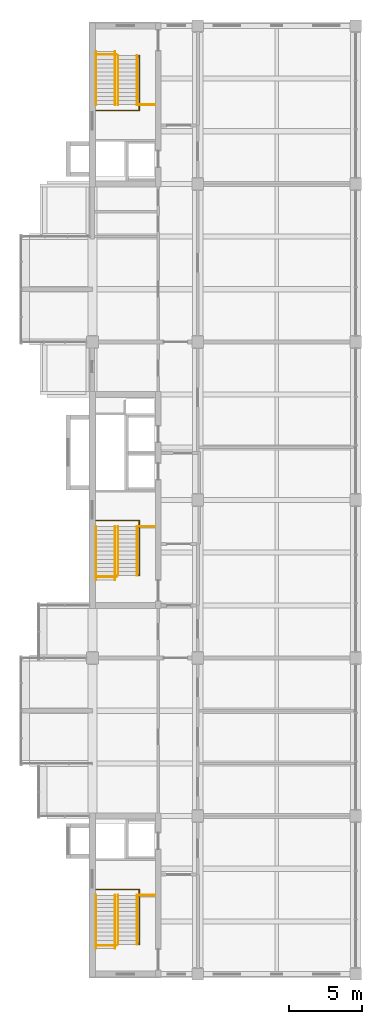
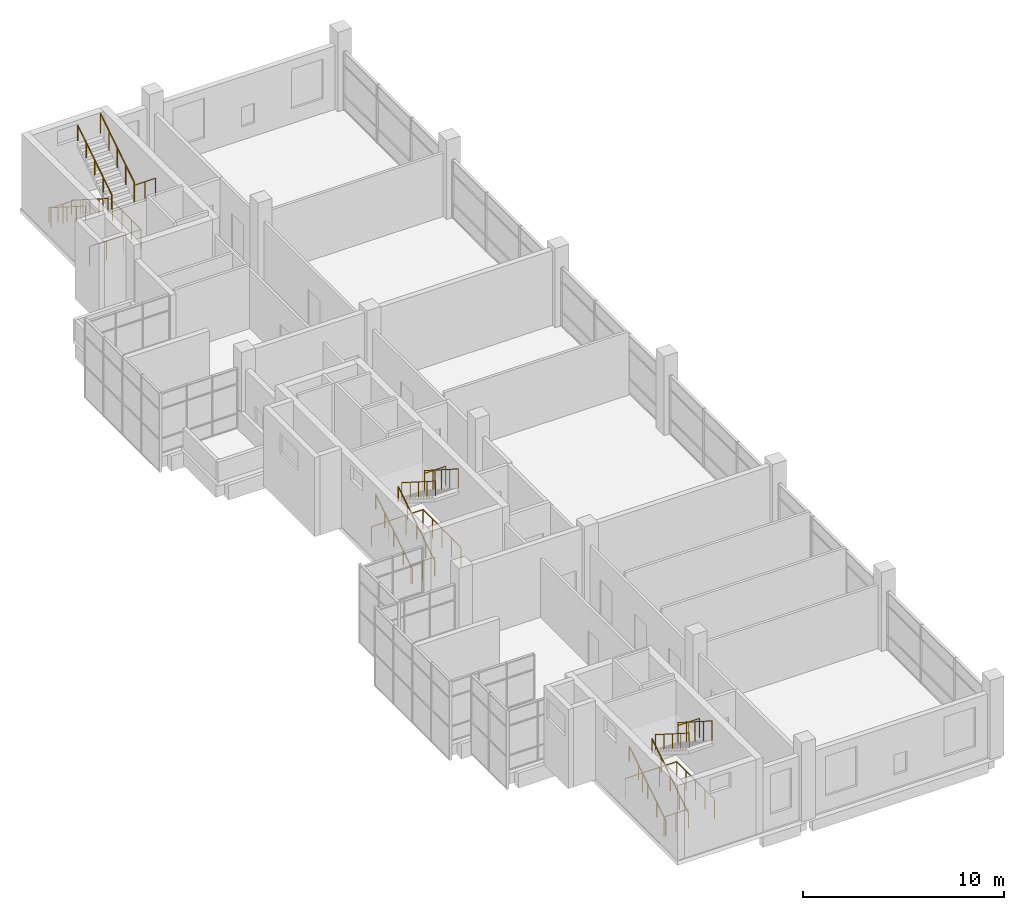
# One storey, part 14 of 14: 21 railings.
"""IFC4 building model written with IfcOpenShell, lengths in metres."""

import ifcopenshell
import ifcopenshell.guid

model = None  # the IFC model being written
_history = None  # IfcOwnerHistory: only IFC2X3 demands one
_inside = {}  # id of a spatial element -> (the spatial element, [elements in it])
_under = {}  # id of a project, library or spatial element -> (it, [spatial elements below it])
_declared = {}  # id of a project -> (the project, [libraries it declares])
_typed = {}  # id of a type object -> (the type object, [elements of that type])
_made_of = {}  # id of a material, layer set ... -> (it, [elements and type objects made of it])


def new_model(schema):
    """Start an empty IFC model of exactly this schema.

    Asked for "IFC4X3", IfcOpenShell would pick the latest addendum, in which some entities
    have other attributes; the version numbers below select the first issue.
    IFC2X3 requires an IfcOwnerHistory on every rooted entity: one is made here for all.
    """
    global model, _history
    if schema == "IFC4X3":
        model = ifcopenshell.file(schema_version=(4, 3, 0, 0))
    else:
        model = ifcopenshell.file(schema=schema)
    _inside.clear()
    _under.clear()
    _declared.clear()
    _typed.clear()
    _made_of.clear()
    _history = None
    if model.schema == "IFC2X3":
        org = make("IfcOrganization", Name="unknown")
        user = make(
            "IfcPersonAndOrganization",
            ThePerson=make("IfcPerson", FamilyName="unknown"),
            TheOrganization=org,
        )
        app = make(
            "IfcApplication",
            ApplicationDeveloper=org,
            Version="unknown",
            ApplicationFullName="unknown",
            ApplicationIdentifier="unknown",
        )
        _history = make(
            "IfcOwnerHistory",
            OwningUser=user,
            OwningApplication=app,
            ChangeAction="ADDED",
            CreationDate=0,
        )
    return model


def make(cls, **values):
    """One entity of the class cls with the attributes given. An attribute that is None is left unset."""
    return model.create_entity(
        cls, **{name: value for name, value in values.items() if value is not None}
    )


def rooted(cls, **values):
    """An entity with a GlobalId (a new one), such as an element, a storey or a relation."""
    return make(cls, GlobalId=ifcopenshell.guid.new(), OwnerHistory=_history, **values)


def si_unit(unit_type, name, prefix=None):
    """IfcSIUnit, for example si_unit("LENGTHUNIT", "METRE", prefix="MILLI")."""
    return make("IfcSIUnit", UnitType=unit_type, Prefix=prefix, Name=name)


def assignment(units):
    """IfcUnitAssignment: the units of a project."""
    return None if units is None else make("IfcUnitAssignment", Units=units)


def point(xyz):
    """IfcCartesianPoint."""
    return None if xyz is None else make("IfcCartesianPoint", Coordinates=xyz)


def direction(xyz):
    """IfcDirection."""
    return None if xyz is None else make("IfcDirection", DirectionRatios=xyz)


def frame(location, z_axis=None, x_axis=None):
    """IfcAxis2Placement3D, a coordinate frame: its origin and axes. An axis left out is left unset."""
    return make(
        "IfcAxis2Placement3D",
        Location=point(location),
        Axis=direction(z_axis),
        RefDirection=direction(x_axis),
    )


def frame_2d(location, x_axis=None):
    """IfcAxis2Placement2D, a coordinate frame in the plane: its origin and x axis."""
    return make(
        "IfcAxis2Placement2D", Location=point(location), RefDirection=direction(x_axis)
    )


def origin():
    """The frame at (0, 0, 0) with its axes left unset."""
    return frame((0.0, 0.0, 0.0))


def origin_2d():
    """The frame at (0, 0) in the plane with its x axis left unset."""
    return frame_2d((0.0, 0.0))


def place(relative_to, where):
    """IfcLocalPlacement: puts the frame where relative to a parent placement (None: the world)."""
    return make(
        "IfcLocalPlacement", PlacementRelTo=relative_to, RelativePlacement=where
    )


def context(
    kind, dimensions, precision=None, world=None, true_north=None, identifier=None
):
    """IfcGeometricRepresentationContext, for example the 3D "Model" context."""
    return make(
        "IfcGeometricRepresentationContext",
        ContextIdentifier=identifier,
        ContextType=kind,
        CoordinateSpaceDimension=dimensions,
        Precision=precision,
        WorldCoordinateSystem=world,
        TrueNorth=true_north,
    )


def subcontext(parent, identifier, kind, view, scale=None):
    """IfcGeometricRepresentationSubContext, for example "Body" below "Model"."""
    return make(
        "IfcGeometricRepresentationSubContext",
        ContextIdentifier=identifier,
        ContextType=kind,
        ParentContext=parent,
        TargetScale=scale,
        TargetView=view,
    )


def project(units=None, contexts=None):
    """IfcProject with its units and contexts."""
    return rooted(
        "IfcProject",
        Name="project",
        RepresentationContexts=contexts,
        UnitsInContext=assignment(units),
    )


def spatial(cls, under=None, at=None, **own):
    """A site, building, storey or space (cls), placed at a placement, below another one or the project."""
    s = rooted(cls, ObjectPlacement=at, **own)
    if under is not None:
        _under.setdefault(under.id(), (under, []))[1].append(s)
    return s


def profile(cls, at=None, kind="AREA", **sizes):
    """A parametric profile (cls). Its sizes go by their IFC names, for example OverallWidth=200.0."""
    return make(cls, ProfileType=kind, Position=at, **sizes)


def circle(**sizes):
    """IfcCircleProfileDef."""
    return profile("IfcCircleProfileDef", **sizes)


def extrude(swept, where, along, depth):
    """IfcExtrudedAreaSolid: the profile swept, set in the frame where, extruded along a direction by depth."""
    return make(
        "IfcExtrudedAreaSolid",
        SweptArea=swept,
        Position=where,
        ExtrudedDirection=direction(along),
        Depth=depth,
    )


def shape(context_of_items, identifier, shape_type, items):
    """IfcShapeRepresentation: the items that make up one representation, for example the "Body"."""
    return make(
        "IfcShapeRepresentation",
        ContextOfItems=context_of_items,
        RepresentationIdentifier=identifier,
        RepresentationType=shape_type,
        Items=items,
    )


def material(Name=None, Category=None):
    """IfcMaterial."""
    return make("IfcMaterial", Name=Name, Category=Category)


def made_of(thing, what):
    """Note that an element or type object is made of a material, layer set ...; save() writes the relation."""
    if what is not None:
        _made_of.setdefault(what.id(), (what, []))[1].append(thing)
    return thing


def type_object(cls, material=None, **own):
    """A type object (cls), such as IfcWallType, which elements share."""
    return made_of(rooted(cls, **own), material)


def element(
    cls,
    number,
    at=None,
    inside=None,
    cuts=None,
    type_object=None,
    material=None,
    context=None,
    identifier="Body",
    shape_type=None,
    held_by="IfcProductDefinitionShape",
    body=None,
    shapes=None,
    **own,
):
    """One element of the class cls, such as IfcWall. Its Tag is "e" and its number.

    at: its placement. inside: the storey or other place that contains it. cuts: it is an
    opening in that element (IfcRelVoidsElement). A single representation is given by context,
    identifier, shape_type and body (its items); several are given by shapes. held_by: the class
    of the entity that holds the representations. save() writes the other relations.
    """
    e = rooted(cls, Tag="e%d" % number, ObjectPlacement=at, **own)
    if body is not None:
        shapes = [shape(context, identifier, shape_type, body)]
    if shapes is not None:
        e.Representation = make(held_by, Representations=shapes)
    if inside is not None:
        _inside.setdefault(inside.id(), (inside, []))[1].append(e)
    if cuts is not None:
        rooted(
            "IfcRelVoidsElement", RelatingBuildingElement=cuts, RelatedOpeningElement=e
        )
    if type_object is not None:
        _typed.setdefault(type_object.id(), (type_object, []))[1].append(e)
    return made_of(e, material)


def aggregate(whole, parts):
    """IfcRelAggregates: a whole, such as a stair, and the parts it consists of."""
    return rooted("IfcRelAggregates", RelatingObject=whole, RelatedObjects=parts)


def save(model, path):
    """Write the relations noted so far, then the file.

    IfcRelAggregates (storeys below a building ...), IfcRelContainedInSpatialStructure (elements
    in a storey), IfcRelDefinesByType, IfcRelAssociatesMaterial and IfcRelDeclares: one each for
    every whole, place, type object, material and project.
    """
    for whole, parts in _under.values():
        aggregate(whole, parts)
    for where, things in _inside.values():
        rooted(
            "IfcRelContainedInSpatialStructure",
            RelatedElements=things,
            RelatingStructure=where,
        )
    for kind, things in _typed.values():
        rooted("IfcRelDefinesByType", RelatedObjects=things, RelatingType=kind)
    for what, things in _made_of.values():
        rooted("IfcRelAssociatesMaterial", RelatedObjects=things, RelatingMaterial=what)
    for by, libraries in _declared.values():
        rooted("IfcRelDeclares", RelatingContext=by, RelatedDefinitions=libraries)
    model.write(path)


model = new_model("IFC4")

# Units and contexts
model_context = context("Model", 3, precision=1e-05, world=origin(), true_north=direction((0.0, 1.0)))
body_context = subcontext(model_context, "Body", "Model", "MODEL_VIEW")
ifc_project = project(units=[si_unit("LENGTHUNIT", "METRE"), si_unit("AREAUNIT", "SQUARE_METRE"), si_unit("VOLUMEUNIT", "CUBIC_METRE"), si_unit("PLANEANGLEUNIT", "RADIAN"), si_unit("MASSUNIT", "GRAM", prefix="KILO")], contexts=[model_context])

# Site, building, storey
site_placement = place(None, origin())
site = spatial("IfcSite", under=ifc_project, at=site_placement, CompositionType="ELEMENT")
building_placement = place(site_placement, origin())
building = spatial("IfcBuilding", under=site, at=building_placement, Name="Basin Gate Institute", CompositionType="ELEMENT")
storey_placement = place(building_placement, frame((0.0, 0.0, 60.60009765625)))
storey = spatial("IfcBuildingStorey", under=building, at=storey_placement, Name="L12", CompositionType="ELEMENT", Elevation=60.60009765625)

# Railings
ifc_material_1 = material(Name="Stainless steel", Category="steel")
railing_type_1 = type_object("IfcRailingType", Name="Stair guard GR2", PredefinedType="GUARDRAIL", material=ifc_material_1)
railing_1_placement = place(storey_placement, frame((64.39990234375, 37.1298828125, 0.0)))
element("IfcRailing", 1, at=railing_1_placement, inside=storey, type_object=railing_type_1, material=ifc_material_1, Name="Stair guard GR2 WS GD3-L11", PredefinedType="GUARDRAIL", context=body_context, shape_type="SweptSolid", body=[
    extrude(circle(Radius=0.02392578125, at=origin_2d()), frame((0.0, 0.0, 1.17578125), z_axis=(0.0, 1.0, 0.0), x_axis=(-1.0, 0.0, 0.0)), (0.0, 0.0, 1.0), 3.760009765625),
    extrude(circle(Radius=0.02392578125, at=origin_2d()), frame((0.0, 3.760009765625, 1.17578125), z_axis=(-1.0, 0.0, 0.0), x_axis=(0.0, -1.0, 0.0)), (0.0, 0.0, 1.0), 2.949951171875),
    extrude(circle(Radius=0.02099609375, at=origin_2d()), origin(), (0.0, 0.0, 1.0), 1.15185546875),
    extrude(circle(Radius=0.02099609375, at=origin_2d()), frame((0.0, 0.93994140625, 0.0)), (0.0, 0.0, 1.0), 1.15185546875),
    extrude(circle(Radius=0.02099609375, at=origin_2d()), frame((0.0, 1.8798828125, 0.0)), (0.0, 0.0, 1.0), 1.15185546875),
    extrude(circle(Radius=0.02099609375, at=origin_2d()), frame((0.0, 2.820068359375, 0.0)), (0.0, 0.0, 1.0), 1.15185546875),
    extrude(circle(Radius=0.02099609375, at=origin_2d()), frame((0.0, 3.760009765625, 0.0)), (0.0, 0.0, 1.0), 1.15185546875),
    extrude(circle(Radius=0.02099609375, at=origin_2d()), frame((-0.9833984375, 3.760009765625, 0.0)), (0.0, 0.0, 1.0), 1.15185546875),
    extrude(circle(Radius=0.02099609375, at=origin_2d()), frame((-1.966552734375, 3.760009765625, 0.0)), (0.0, 0.0, 1.0), 1.15185546875),
    extrude(circle(Radius=0.02099609375, at=origin_2d()), frame((-2.949951171875, 3.760009765625, 0.0)), (0.0, 0.0, 1.0), 1.15185546875),
])
railing_2_placement = place(storey_placement, frame((61.449951171875, 37.050048828125, 0.0)))
element("IfcRailing", 2, at=railing_2_placement, inside=storey, type_object=railing_type_1, material=ifc_material_1, Name="Stair guard GR2 WS GD4-L11", PredefinedType="GUARDRAIL", context=body_context, shape_type="SweptSolid", body=[
    extrude(circle(Radius=0.02392578125, at=origin_2d()), frame((0.0, 0.0, 1.17578125), z_axis=(1.0, 0.0, 0.0), x_axis=(0.0, 1.0, 0.0)), (0.0, 0.0, 1.0), 1.400146484375),
    extrude(circle(Radius=0.02099609375, at=origin_2d()), origin(), (0.0, 0.0, 1.0), 1.15185546875),
    extrude(circle(Radius=0.02099609375, at=origin_2d()), frame((0.7001953125, 0.0, 0.0)), (0.0, 0.0, 1.0), 1.15185546875),
    extrude(circle(Radius=0.02099609375, at=origin_2d()), frame((1.400146484375, 0.0, 0.0)), (0.0, 0.0, 1.0), 1.15185546875),
])
railing_3_placement = place(storey_placement, frame((64.39990234375, 62.330078125, 0.0)))
element("IfcRailing", 3, at=railing_3_placement, inside=storey, type_object=railing_type_1, material=ifc_material_1, Name="Stair guard GR2 WM GD3-L11", PredefinedType="GUARDRAIL", context=body_context, shape_type="SweptSolid", body=[
    extrude(circle(Radius=0.02392578125, at=origin_2d()), frame((0.0, 0.0, 1.17578125), z_axis=(0.0, 1.0, 0.0), x_axis=(-1.0, 0.0, 0.0)), (0.0, 0.0, 1.0), 3.760009765625),
    extrude(circle(Radius=0.02392578125, at=origin_2d()), frame((0.0, 3.760009765625, 1.17578125), z_axis=(-1.0, 0.0, 0.0), x_axis=(0.0, -1.0, 0.0)), (0.0, 0.0, 1.0), 2.949951171875),
    extrude(circle(Radius=0.02099609375, at=origin_2d()), origin(), (0.0, 0.0, 1.0), 1.15185546875),
    extrude(circle(Radius=0.02099609375, at=origin_2d()), frame((0.0, 0.93994140625, 0.0)), (0.0, 0.0, 1.0), 1.15185546875),
    extrude(circle(Radius=0.02099609375, at=origin_2d()), frame((0.0, 1.8798828125, 0.0)), (0.0, 0.0, 1.0), 1.15185546875),
    extrude(circle(Radius=0.02099609375, at=origin_2d()), frame((0.0, 2.820068359375, 0.0)), (0.0, 0.0, 1.0), 1.15185546875),
    extrude(circle(Radius=0.02099609375, at=origin_2d()), frame((0.0, 3.760009765625, 0.0)), (0.0, 0.0, 1.0), 1.15185546875),
    extrude(circle(Radius=0.02099609375, at=origin_2d()), frame((-0.9833984375, 3.760009765625, 0.0)), (0.0, 0.0, 1.0), 1.15185546875),
    extrude(circle(Radius=0.02099609375, at=origin_2d()), frame((-1.966552734375, 3.760009765625, 0.0)), (0.0, 0.0, 1.0), 1.15185546875),
    extrude(circle(Radius=0.02099609375, at=origin_2d()), frame((-2.949951171875, 3.760009765625, 0.0)), (0.0, 0.0, 1.0), 1.15185546875),
])
railing_4_placement = place(storey_placement, frame((61.449951171875, 62.25, 0.0)))
element("IfcRailing", 4, at=railing_4_placement, inside=storey, type_object=railing_type_1, material=ifc_material_1, Name="Stair guard GR2 WM GD4-L11", PredefinedType="GUARDRAIL", context=body_context, shape_type="SweptSolid", body=[
    extrude(circle(Radius=0.02392578125, at=origin_2d()), frame((0.0, 0.0, 1.17578125), z_axis=(1.0, 0.0, 0.0), x_axis=(0.0, 1.0, 0.0)), (0.0, 0.0, 1.0), 1.400146484375),
    extrude(circle(Radius=0.02099609375, at=origin_2d()), origin(), (0.0, 0.0, 1.0), 1.15185546875),
    extrude(circle(Radius=0.02099609375, at=origin_2d()), frame((0.7001953125, 0.0, 0.0)), (0.0, 0.0, 1.0), 1.15185546875),
    extrude(circle(Radius=0.02099609375, at=origin_2d()), frame((1.400146484375, 0.0, 0.0)), (0.0, 0.0, 1.0), 1.15185546875),
])
railing_5_placement = place(storey_placement, frame((64.39990234375, 97.8701171875, 0.0)))
element("IfcRailing", 5, at=railing_5_placement, inside=storey, type_object=railing_type_1, material=ifc_material_1, Name="Stair guard GR2 WN GD3-L11", PredefinedType="GUARDRAIL", context=body_context, shape_type="SweptSolid", body=[
    extrude(circle(Radius=0.02392578125, at=origin_2d()), frame((0.0, 0.0, 1.17578125), z_axis=(0.0, -1.0, 0.0), x_axis=(1.0, 0.0, 0.0)), (0.0, 0.0, 1.0), 3.760009765625),
    extrude(circle(Radius=0.02392578125, at=origin_2d()), frame((0.0, -3.760009765625, 1.17578125), z_axis=(-1.0, 0.0, 0.0), x_axis=(0.0, -1.0, 0.0)), (0.0, 0.0, 1.0), 2.949951171875),
    extrude(circle(Radius=0.02099609375, at=origin_2d()), origin(), (0.0, 0.0, 1.0), 1.15185546875),
    extrude(circle(Radius=0.02099609375, at=origin_2d()), frame((0.0, -0.93994140625, 0.0)), (0.0, 0.0, 1.0), 1.15185546875),
    extrude(circle(Radius=0.02099609375, at=origin_2d()), frame((0.0, -1.8798828125, 0.0)), (0.0, 0.0, 1.0), 1.15185546875),
    extrude(circle(Radius=0.02099609375, at=origin_2d()), frame((0.0, -2.820068359375, 0.0)), (0.0, 0.0, 1.0), 1.15185546875),
    extrude(circle(Radius=0.02099609375, at=origin_2d()), frame((0.0, -3.760009765625, 0.0)), (0.0, 0.0, 1.0), 1.15185546875),
    extrude(circle(Radius=0.02099609375, at=origin_2d()), frame((-0.9833984375, -3.760009765625, 0.0)), (0.0, 0.0, 1.0), 1.15185546875),
    extrude(circle(Radius=0.02099609375, at=origin_2d()), frame((-1.966552734375, -3.760009765625, 0.0)), (0.0, 0.0, 1.0), 1.15185546875),
    extrude(circle(Radius=0.02099609375, at=origin_2d()), frame((-2.949951171875, -3.760009765625, 0.0)), (0.0, 0.0, 1.0), 1.15185546875),
])
railing_6_placement = place(storey_placement, frame((61.449951171875, 97.949951171875, 0.0)))
element("IfcRailing", 6, at=railing_6_placement, inside=storey, type_object=railing_type_1, material=ifc_material_1, Name="Stair guard GR2 WN GD4-L11", PredefinedType="GUARDRAIL", context=body_context, shape_type="SweptSolid", body=[
    extrude(circle(Radius=0.02392578125, at=origin_2d()), frame((0.0, 0.0, 1.17578125), z_axis=(1.0, 0.0, 0.0), x_axis=(0.0, 1.0, 0.0)), (0.0, 0.0, 1.0), 1.400146484375),
    extrude(circle(Radius=0.02099609375, at=origin_2d()), origin(), (0.0, 0.0, 1.0), 1.15185546875),
    extrude(circle(Radius=0.02099609375, at=origin_2d()), frame((0.7001953125, 0.0, 0.0)), (0.0, 0.0, 1.0), 1.15185546875),
    extrude(circle(Radius=0.02099609375, at=origin_2d()), frame((1.400146484375, 0.0, 0.0)), (0.0, 0.0, 1.0), 1.15185546875),
])
railing_7_placement = place(storey_placement, frame((64.25, 40.489990234375, 2.66650390625)))
element("IfcRailing", 7, at=railing_7_placement, inside=storey, type_object=railing_type_1, material=ifc_material_1, Name="Stair guard GR2 WS GD1", PredefinedType="GUARDRAIL", context=body_context, shape_type="SweptSolid", body=[
    extrude(circle(Radius=0.02392578125, at=origin_2d()), frame((0.0, 0.0, 1.17578125), z_axis=(0.0, -0.844224270207, 0.535990094679), x_axis=(1.0, 0.0, 0.0)), (0.0, 0.0, 1.0), 3.980224609375),
    extrude(circle(Radius=0.02099609375, at=origin_2d()), origin(), (0.0, 0.0, 1.0), 1.15185546875),
    extrude(circle(Radius=0.02099609375, at=origin_2d()), frame((0.0, -0.840087890625, 0.533203125)), (0.0, 0.0, 1.0), 1.15185546875),
    extrude(circle(Radius=0.02099609375, at=origin_2d()), frame((0.0, -1.68017578125, 1.066650390625)), (0.0, 0.0, 1.0), 1.15185546875),
    extrude(circle(Radius=0.02099609375, at=origin_2d()), frame((0.0, -2.52001953125, 1.60009765625)), (0.0, 0.0, 1.0), 1.15185546875),
    extrude(circle(Radius=0.02099609375, at=origin_2d()), frame((0.0, -3.360107421875, 2.13330078125)), (0.0, 0.0, 1.0), 1.15185546875),
])
railing_8_placement = place(storey_placement, frame((64.25, 40.489990234375, 2.48876953125)))
element("IfcRailing", 8, at=railing_8_placement, inside=storey, type_object=railing_type_1, material=ifc_material_1, Name="Stair guard GR2 WS GD2", PredefinedType="GUARDRAIL", context=body_context, shape_type="SweptSolid", body=[
    extrude(circle(Radius=0.02392578125, at=origin_2d()), frame((0.0, 0.0, 1.17578125), z_axis=(1.0, 0.0, 0.0), x_axis=(0.0, 1.0, 0.0)), (0.0, 0.0, 1.0), 1.219970703125),
    extrude(circle(Radius=0.02099609375, at=origin_2d()), origin(), (0.0, 0.0, 1.0), 1.15185546875),
    extrude(circle(Radius=0.02099609375, at=origin_2d()), frame((0.60986328125, 0.0, 0.0)), (0.0, 0.0, 1.0), 1.15185546875),
    extrude(circle(Radius=0.02099609375, at=origin_2d()), frame((1.219970703125, 0.0, 0.0)), (0.0, 0.0, 1.0), 1.15185546875),
])
railing_9_placement = place(storey_placement, frame((64.25, 65.68994140625, 2.66650390625)))
element("IfcRailing", 9, at=railing_9_placement, inside=storey, type_object=railing_type_1, material=ifc_material_1, Name="Stair guard GR2 WM GD1", PredefinedType="GUARDRAIL", context=body_context, shape_type="SweptSolid", body=[
    extrude(circle(Radius=0.02392578125, at=origin_2d()), frame((0.0, 0.0, 1.17578125), z_axis=(0.0, -0.844206646714, 0.536017851983), x_axis=(1.0, 0.0, 0.0)), (0.0, 0.0, 1.0), 3.97998046875),
    extrude(circle(Radius=0.02099609375, at=origin_2d()), origin(), (0.0, 0.0, 1.0), 1.15185546875),
    extrude(circle(Radius=0.02099609375, at=origin_2d()), frame((0.0, -0.83984375, 0.533203125)), (0.0, 0.0, 1.0), 1.15185546875),
    extrude(circle(Radius=0.02099609375, at=origin_2d()), frame((0.0, -1.679931640625, 1.066650390625)), (0.0, 0.0, 1.0), 1.15185546875),
    extrude(circle(Radius=0.02099609375, at=origin_2d()), frame((0.0, -2.52001953125, 1.60009765625)), (0.0, 0.0, 1.0), 1.15185546875),
    extrude(circle(Radius=0.02099609375, at=origin_2d()), frame((0.0, -3.35986328125, 2.13330078125)), (0.0, 0.0, 1.0), 1.15185546875),
])
railing_10_placement = place(storey_placement, frame((64.25, 65.68994140625, 2.48876953125)))
element("IfcRailing", 10, at=railing_10_placement, inside=storey, type_object=railing_type_1, material=ifc_material_1, Name="Stair guard GR2 WM GD2", PredefinedType="GUARDRAIL", context=body_context, shape_type="SweptSolid", body=[
    extrude(circle(Radius=0.02392578125, at=origin_2d()), frame((0.0, 0.0, 1.17578125), z_axis=(1.0, 0.0, 0.0), x_axis=(0.0, 1.0, 0.0)), (0.0, 0.0, 1.0), 1.219970703125),
    extrude(circle(Radius=0.02099609375, at=origin_2d()), origin(), (0.0, 0.0, 1.0), 1.15185546875),
    extrude(circle(Radius=0.02099609375, at=origin_2d()), frame((0.60986328125, 0.0, 0.0)), (0.0, 0.0, 1.0), 1.15185546875),
    extrude(circle(Radius=0.02099609375, at=origin_2d()), frame((1.219970703125, 0.0, 0.0)), (0.0, 0.0, 1.0), 1.15185546875),
])
railing_11_placement = place(storey_placement, frame((64.25, 94.510009765625, 2.66650390625)))
element("IfcRailing", 11, at=railing_11_placement, inside=storey, type_object=railing_type_1, material=ifc_material_1, Name="Stair guard GR2 WN GD1", PredefinedType="GUARDRAIL", context=body_context, shape_type="SweptSolid", body=[
    extrude(circle(Radius=0.02392578125, at=origin_2d()), frame((0.0, 0.0, 1.17578125), z_axis=(0.0, 0.844224270207, 0.535990094679), x_axis=(-1.0, 0.0, 0.0)), (0.0, 0.0, 1.0), 3.980224609375),
    extrude(circle(Radius=0.02099609375, at=origin_2d()), origin(), (0.0, 0.0, 1.0), 1.15185546875),
    extrude(circle(Radius=0.02099609375, at=origin_2d()), frame((0.0, 0.840087890625, 0.533203125)), (0.0, 0.0, 1.0), 1.15185546875),
    extrude(circle(Radius=0.02099609375, at=origin_2d()), frame((0.0, 1.68017578125, 1.066650390625)), (0.0, 0.0, 1.0), 1.15185546875),
    extrude(circle(Radius=0.02099609375, at=origin_2d()), frame((0.0, 2.52001953125, 1.60009765625)), (0.0, 0.0, 1.0), 1.15185546875),
    extrude(circle(Radius=0.02099609375, at=origin_2d()), frame((0.0, 3.360107421875, 2.13330078125)), (0.0, 0.0, 1.0), 1.15185546875),
])
railing_12_placement = place(storey_placement, frame((64.25, 94.510009765625, 2.48876953125)))
element("IfcRailing", 12, at=railing_12_placement, inside=storey, type_object=railing_type_1, material=ifc_material_1, Name="Stair guard GR2 WN GD2", PredefinedType="GUARDRAIL", context=body_context, shape_type="SweptSolid", body=[
    extrude(circle(Radius=0.02392578125, at=origin_2d()), frame((0.0, 0.0, 1.17578125), z_axis=(1.0, 0.0, 0.0), x_axis=(0.0, 1.0, 0.0)), (0.0, 0.0, 1.0), 1.219970703125),
    extrude(circle(Radius=0.02099609375, at=origin_2d()), origin(), (0.0, 0.0, 1.0), 1.15185546875),
    extrude(circle(Radius=0.02099609375, at=origin_2d()), frame((0.60986328125, 0.0, 0.0)), (0.0, 0.0, 1.0), 1.15185546875),
    extrude(circle(Radius=0.02099609375, at=origin_2d()), frame((1.219970703125, 0.0, 0.0)), (0.0, 0.0, 1.0), 1.15185546875),
])
ifc_material_2 = material(Name="Stainless steel", Category="steel")
railing_type_2 = type_object("IfcRailingType", Name="Stair handrail HR1", PredefinedType="HANDRAIL", material=ifc_material_2)
for number, where, name in (
    (13, (61.449951171875, 36.85009765625, 0.177734375), "Stair handrail HR1 WS HR1"),
    (14, (62.75, 36.85009765625, 0.177734375), "Stair handrail HR1 WS HR2"),
):
    element("IfcRailing", number, at=place(storey_placement, frame(where)), inside=storey, type_object=railing_type_2, material=ifc_material_2, Name=name, PredefinedType="HANDRAIL", context=body_context, shape_type="SweptSolid", body=[
        extrude(circle(Radius=0.02392578125, at=origin_2d()), frame((0.0, 0.0, 0.89599609375), z_axis=(0.0, 0.84421362867, 0.536006855523), x_axis=(-1.0, 0.0, 0.0)), (0.0, 0.0, 1.0), 4.3115234375),
        extrude(circle(Radius=0.02099609375, at=origin_2d()), origin(), (0.0, 0.0, 1.0), 0.871826171875),
        extrude(circle(Radius=0.02099609375, at=origin_2d()), frame((0.0, 0.909912109375, 0.57763671875)), (0.0, 0.0, 1.0), 0.871826171875),
        extrude(circle(Radius=0.02099609375, at=origin_2d()), frame((0.0, 1.81982421875, 1.155517578125)), (0.0, 0.0, 1.0), 0.871826171875),
        extrude(circle(Radius=0.02099609375, at=origin_2d()), frame((0.0, 2.72998046875, 1.7333984375)), (0.0, 0.0, 1.0), 0.871826171875),
        extrude(circle(Radius=0.02099609375, at=origin_2d()), frame((0.0, 3.639892578125, 2.31103515625)), (0.0, 0.0, 1.0), 0.871826171875),
    ])
railing_13_placement = place(storey_placement, frame((62.949951171875, 40.489990234375, 2.66650390625)))
element("IfcRailing", 15, at=railing_13_placement, inside=storey, type_object=railing_type_2, material=ifc_material_2, Name="Stair handrail HR1 WS HR3", PredefinedType="HANDRAIL", context=body_context, shape_type="SweptSolid", body=[
    extrude(circle(Radius=0.02392578125, at=origin_2d()), frame((0.0, 0.0, 0.89599609375), z_axis=(0.0, -0.844224270207, 0.535990094679), x_axis=(1.0, 0.0, 0.0)), (0.0, 0.0, 1.0), 3.980224609375),
    extrude(circle(Radius=0.02099609375, at=origin_2d()), origin(), (0.0, 0.0, 1.0), 0.871826171875),
    extrude(circle(Radius=0.02099609375, at=origin_2d()), frame((0.0, -0.840087890625, 0.533203125)), (0.0, 0.0, 1.0), 0.871826171875),
    extrude(circle(Radius=0.02099609375, at=origin_2d()), frame((0.0, -1.68017578125, 1.066650390625)), (0.0, 0.0, 1.0), 0.871826171875),
    extrude(circle(Radius=0.02099609375, at=origin_2d()), frame((0.0, -2.52001953125, 1.60009765625)), (0.0, 0.0, 1.0), 0.871826171875),
    extrude(circle(Radius=0.02099609375, at=origin_2d()), frame((0.0, -3.360107421875, 2.13330078125)), (0.0, 0.0, 1.0), 0.871826171875),
])
for number, where, name in (
    (16, (61.449951171875, 62.050048828125, 0.177734375), "Stair handrail HR1 WM HR1"),
    (17, (62.75, 62.050048828125, 0.177734375), "Stair handrail HR1 WM HR2"),
):
    element("IfcRailing", number, at=place(storey_placement, frame(where)), inside=storey, type_object=railing_type_2, material=ifc_material_2, Name=name, PredefinedType="HANDRAIL", context=body_context, shape_type="SweptSolid", body=[
        extrude(circle(Radius=0.02392578125, at=origin_2d()), frame((0.0, 0.0, 0.89599609375), z_axis=(0.0, 0.84421362867, 0.536006855523), x_axis=(-1.0, 0.0, 0.0)), (0.0, 0.0, 1.0), 4.3115234375),
        extrude(circle(Radius=0.02099609375, at=origin_2d()), origin(), (0.0, 0.0, 1.0), 0.871826171875),
        extrude(circle(Radius=0.02099609375, at=origin_2d()), frame((0.0, 0.909912109375, 0.57763671875)), (0.0, 0.0, 1.0), 0.871826171875),
        extrude(circle(Radius=0.02099609375, at=origin_2d()), frame((0.0, 1.81982421875, 1.155517578125)), (0.0, 0.0, 1.0), 0.871826171875),
        extrude(circle(Radius=0.02099609375, at=origin_2d()), frame((0.0, 2.72998046875, 1.7333984375)), (0.0, 0.0, 1.0), 0.871826171875),
        extrude(circle(Radius=0.02099609375, at=origin_2d()), frame((0.0, 3.639892578125, 2.31103515625)), (0.0, 0.0, 1.0), 0.871826171875),
    ])
railing_14_placement = place(storey_placement, frame((62.949951171875, 65.68994140625, 2.66650390625)))
element("IfcRailing", 18, at=railing_14_placement, inside=storey, type_object=railing_type_2, material=ifc_material_2, Name="Stair handrail HR1 WM HR3", PredefinedType="HANDRAIL", context=body_context, shape_type="SweptSolid", body=[
    extrude(circle(Radius=0.02392578125, at=origin_2d()), frame((0.0, 0.0, 0.89599609375), z_axis=(0.0, -0.844206646714, 0.536017851983), x_axis=(1.0, 0.0, 0.0)), (0.0, 0.0, 1.0), 3.97998046875),
    extrude(circle(Radius=0.02099609375, at=origin_2d()), origin(), (0.0, 0.0, 1.0), 0.871826171875),
    extrude(circle(Radius=0.02099609375, at=origin_2d()), frame((0.0, -0.83984375, 0.533203125)), (0.0, 0.0, 1.0), 0.871826171875),
    extrude(circle(Radius=0.02099609375, at=origin_2d()), frame((0.0, -1.679931640625, 1.066650390625)), (0.0, 0.0, 1.0), 0.871826171875),
    extrude(circle(Radius=0.02099609375, at=origin_2d()), frame((0.0, -2.52001953125, 1.60009765625)), (0.0, 0.0, 1.0), 0.871826171875),
    extrude(circle(Radius=0.02099609375, at=origin_2d()), frame((0.0, -3.35986328125, 2.13330078125)), (0.0, 0.0, 1.0), 0.871826171875),
])
for number, where, name in (
    (19, (61.449951171875, 98.14990234375, 0.177734375), "Stair handrail HR1 WN HR1"),
    (20, (62.75, 98.14990234375, 0.177734375), "Stair handrail HR1 WN HR2"),
):
    element("IfcRailing", number, at=place(storey_placement, frame(where)), inside=storey, type_object=railing_type_2, material=ifc_material_2, Name=name, PredefinedType="HANDRAIL", context=body_context, shape_type="SweptSolid", body=[
        extrude(circle(Radius=0.02392578125, at=origin_2d()), frame((0.0, 0.0, 0.89599609375), z_axis=(0.0, -0.84421362867, 0.536006855523), x_axis=(1.0, 0.0, 0.0)), (0.0, 0.0, 1.0), 4.3115234375),
        extrude(circle(Radius=0.02099609375, at=origin_2d()), origin(), (0.0, 0.0, 1.0), 0.871826171875),
        extrude(circle(Radius=0.02099609375, at=origin_2d()), frame((0.0, -0.909912109375, 0.57763671875)), (0.0, 0.0, 1.0), 0.871826171875),
        extrude(circle(Radius=0.02099609375, at=origin_2d()), frame((0.0, -1.81982421875, 1.155517578125)), (0.0, 0.0, 1.0), 0.871826171875),
        extrude(circle(Radius=0.02099609375, at=origin_2d()), frame((0.0, -2.72998046875, 1.7333984375)), (0.0, 0.0, 1.0), 0.871826171875),
        extrude(circle(Radius=0.02099609375, at=origin_2d()), frame((0.0, -3.639892578125, 2.31103515625)), (0.0, 0.0, 1.0), 0.871826171875),
    ])
railing_15_placement = place(storey_placement, frame((62.949951171875, 94.510009765625, 2.66650390625)))
element("IfcRailing", 21, at=railing_15_placement, inside=storey, type_object=railing_type_2, material=ifc_material_2, Name="Stair handrail HR1 WN HR3", PredefinedType="HANDRAIL", context=body_context, shape_type="SweptSolid", body=[
    extrude(circle(Radius=0.02392578125, at=origin_2d()), frame((0.0, 0.0, 0.89599609375), z_axis=(0.0, 0.844224270207, 0.535990094679), x_axis=(-1.0, 0.0, 0.0)), (0.0, 0.0, 1.0), 3.980224609375),
    extrude(circle(Radius=0.02099609375, at=origin_2d()), origin(), (0.0, 0.0, 1.0), 0.871826171875),
    extrude(circle(Radius=0.02099609375, at=origin_2d()), frame((0.0, 0.840087890625, 0.533203125)), (0.0, 0.0, 1.0), 0.871826171875),
    extrude(circle(Radius=0.02099609375, at=origin_2d()), frame((0.0, 1.68017578125, 1.066650390625)), (0.0, 0.0, 1.0), 0.871826171875),
    extrude(circle(Radius=0.02099609375, at=origin_2d()), frame((0.0, 2.52001953125, 1.60009765625)), (0.0, 0.0, 1.0), 0.871826171875),
    extrude(circle(Radius=0.02099609375, at=origin_2d()), frame((0.0, 3.360107421875, 2.13330078125)), (0.0, 0.0, 1.0), 0.871826171875),
])

save(model, "model.ifc")
